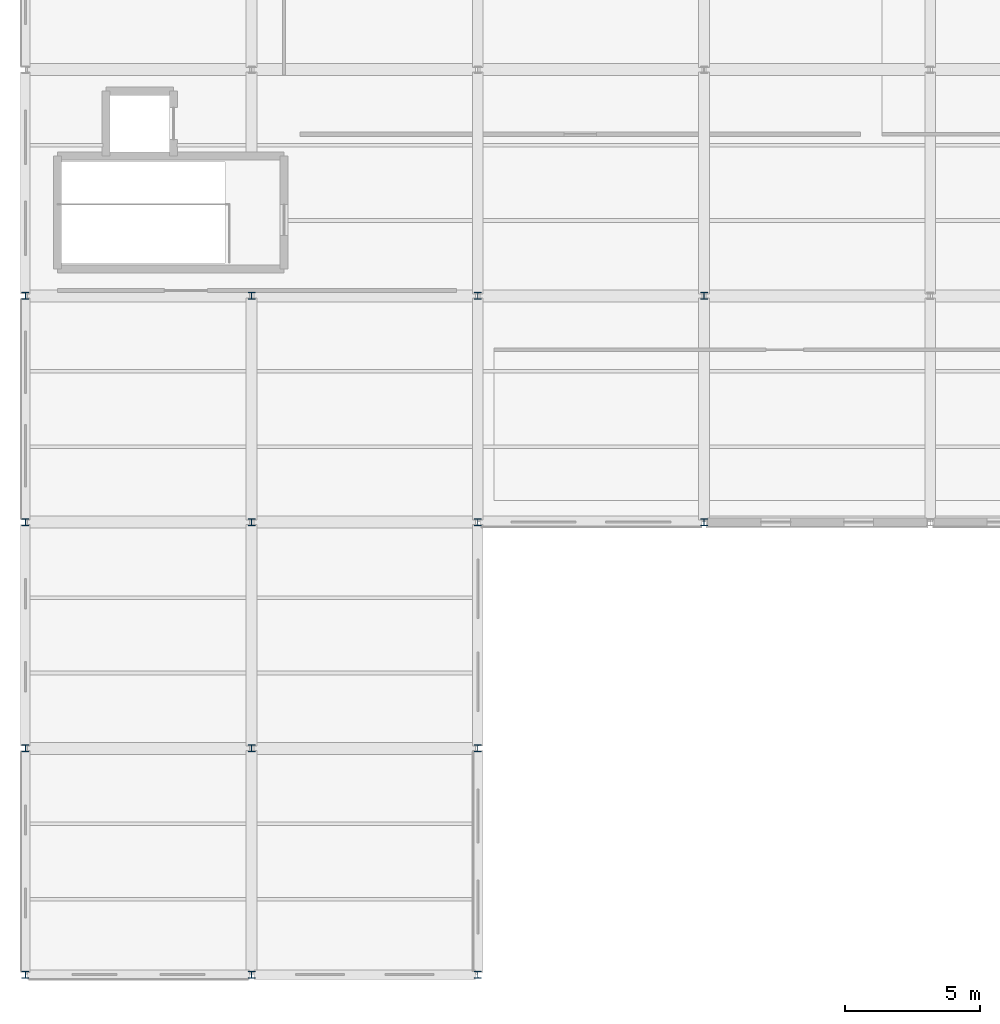
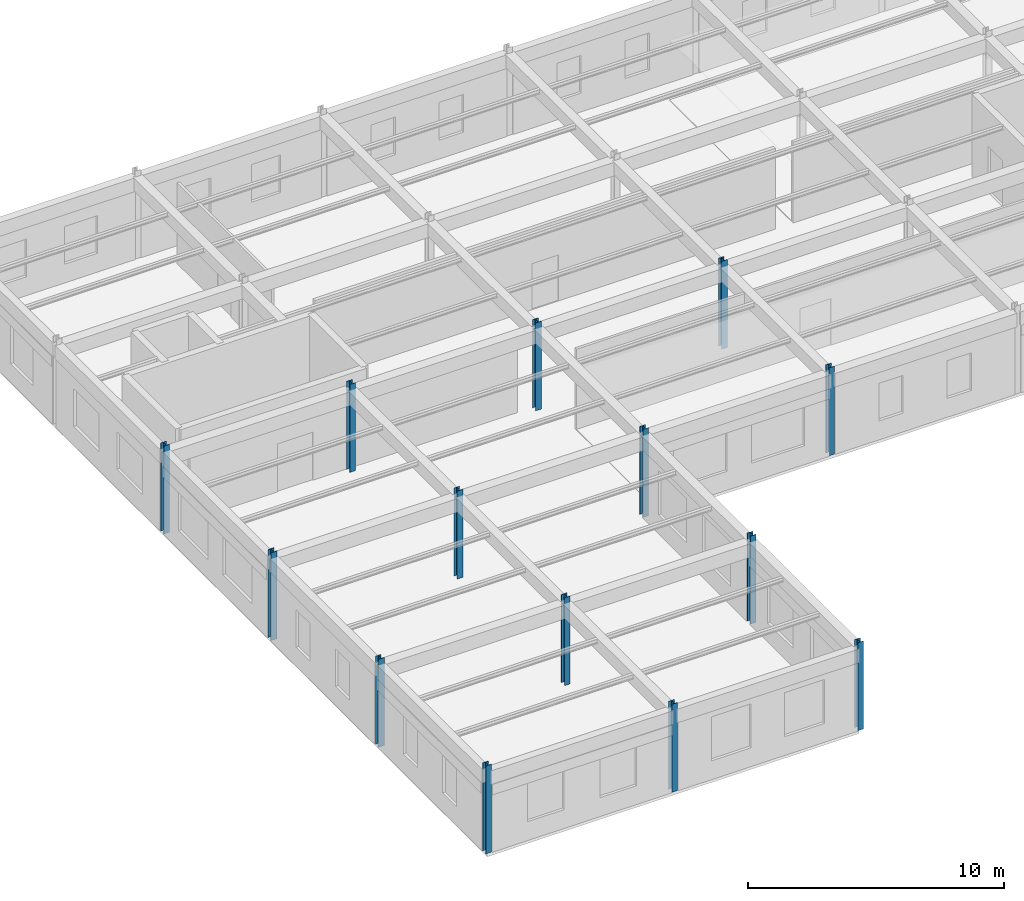
# One storey, part 1 of 83: 14 columns.
"""IFC4 building model written with IfcOpenShell, lengths in metres."""

from ifc_helpers import new_model, si_unit, direction, frame, origin, origin_2d, place, context, subcontext, project, spatial, i_section, extrude, material, material_profile, profile_set, type_object, element, save


model = new_model("IFC4")

# Units and contexts
model_context = context("Model", 3, precision=1e-05, world=origin(), true_north=direction((0.0, 1.0)))
body_context = subcontext(model_context, "Body", "Model", "MODEL_VIEW")
ifc_project = project(units=[si_unit("LENGTHUNIT", "METRE"), si_unit("AREAUNIT", "SQUARE_METRE"), si_unit("VOLUMEUNIT", "CUBIC_METRE"), si_unit("PLANEANGLEUNIT", "RADIAN"), si_unit("MASSUNIT", "GRAM", prefix="KILO"), si_unit("THERMODYNAMICTEMPERATUREUNIT", "KELVIN"), si_unit("POWERUNIT", "WATT")], contexts=[model_context])

# Site, building, storey
site_placement = place(None, origin())
site = spatial("IfcSite", under=ifc_project, at=site_placement, CompositionType="ELEMENT")
building_placement = place(site_placement, origin())
building = spatial("IfcBuilding", under=site, at=building_placement, Name="Darbajah Civic Hall", CompositionType="ELEMENT")
storey_placement = place(building_placement, frame((0.0, 0.0, 18.0)))
storey = spatial("IfcBuildingStorey", under=building, at=storey_placement, Name="L04", CompositionType="ELEMENT", Elevation=18.0)

# Columns
ifc_material = material(Name="Steel S355JR", Category="steel")
ifc_material_profile = material_profile(ifc_material, i_section(OverallWidth=0.25634765625, OverallDepth=0.26025390625, WebThickness=0.01025390625, FlangeThickness=0.017333984375, FilletRadius=0.0126953125, at=origin_2d()), Name="UC 254x254x89")
ifc_profile_set = profile_set([ifc_material_profile], Name="Steel S355JR")
column_type = type_object("IfcColumnType", Name="UC 254x254x89", PredefinedType="COLUMN", material=ifc_profile_set)
for number, where, z_axis, x_axis, name in (
    (1, (0.0, 0.0, 0.0), (0.0, 0.0, 1.0), (1.0, 0.0, 0.0), "L04 column C-UC254"),
    (2, (0.0, 8.39990234375, 0.0), (0.0, 0.0, 1.0), (1.0, 0.0, 0.0), "L04 column C-UC254"),
    (3, (0.0, 16.800048828125, 0.0), (0.0, 0.0, 1.0), (1.0, 0.0, 0.0), "L04 column C-UC254"),
    (4, (0.0, 25.199951171875, 0.0), (0.0, 0.0, 1.0), (1.0, 0.0, 0.0), "L04 column C-UC254"),
    (5, (8.39990234375, 0.0, 0.0), (0.0, 0.0, 1.0), (1.0, 0.0, 0.0), "L04 column C-UC254"),
    (6, (8.39990234375, 8.39990234375, 0.0), (0.0, 0.0, 1.0), (1.0, 0.0, 0.0), "L04 column C-UC254"),
    (7, (8.39990234375, 16.800048828125, 0.0), (0.0, 0.0, 1.0), (1.0, 0.0, 0.0), "L04 column C-UC254"),
    (8, (8.39990234375, 25.199951171875, 0.0), (0.0, 0.0, 1.0), (1.0, 0.0, 0.0), "L04 column C-UC254"),
    (9, (16.800048828125, 0.0, 0.0), (0.0, 0.0, 1.0), (1.0, 0.0, 0.0), "L04 column C-UC254"),
    (10, (16.800048828125, 8.39990234375, 0.0), (0.0, 0.0, 1.0), (1.0, 0.0, 0.0), "L04 column C-UC254"),
    (11, (16.800048828125, 16.800048828125, 0.0), (0.0, 0.0, 1.0), (1.0, 0.0, 0.0), "L04 column C-UC254"),
    (12, (16.800048828125, 25.199951171875, 0.0), (0.0, 0.0, 1.0), (1.0, 0.0, 0.0), "L04 column C-UC254"),
    (13, (25.199951171875, 16.800048828125, 0.0), (0.0, 0.0, 1.0), (1.0, 0.0, 0.0), "L04 column C-UC254"),
    (14, (25.199951171875, 25.199951171875, 0.0), (0.0, 0.0, 1.0), (1.0, 0.0, 0.0), "L04 column C-UC254"),
):
    element("IfcColumn", number, at=place(storey_placement, frame(where, z_axis=z_axis, x_axis=x_axis)), inside=storey, type_object=column_type, Name=name, PredefinedType="COLUMN", context=body_context, shape_type="SweptSolid", body=[
        extrude(i_section(OverallWidth=0.25634765625, OverallDepth=0.26025390625, WebThickness=0.01025390625, FlangeThickness=0.017333984375, FilletRadius=0.0126953125, at=origin_2d()), origin(), (0.0, 0.0, 1.0), 4.199951171875),
    ])

save(model, "model.ifc")
